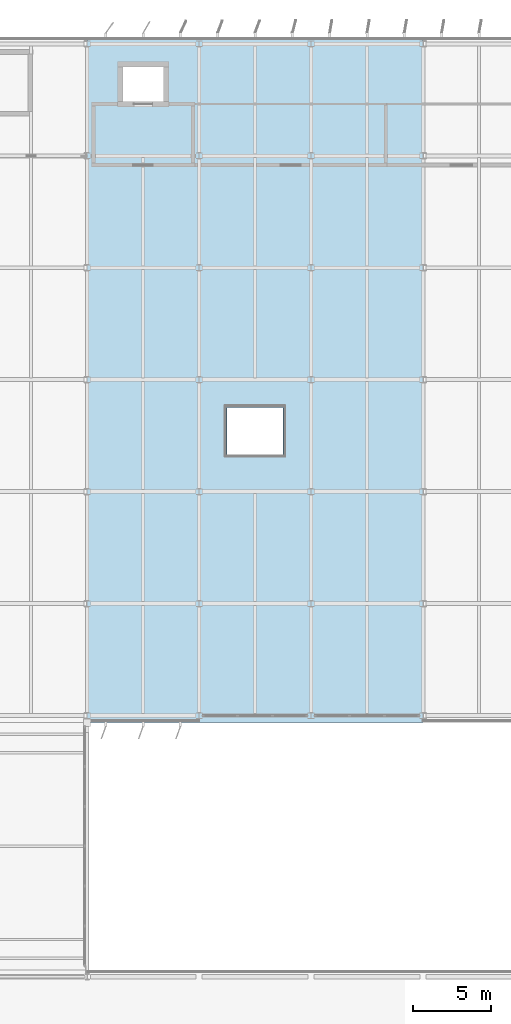
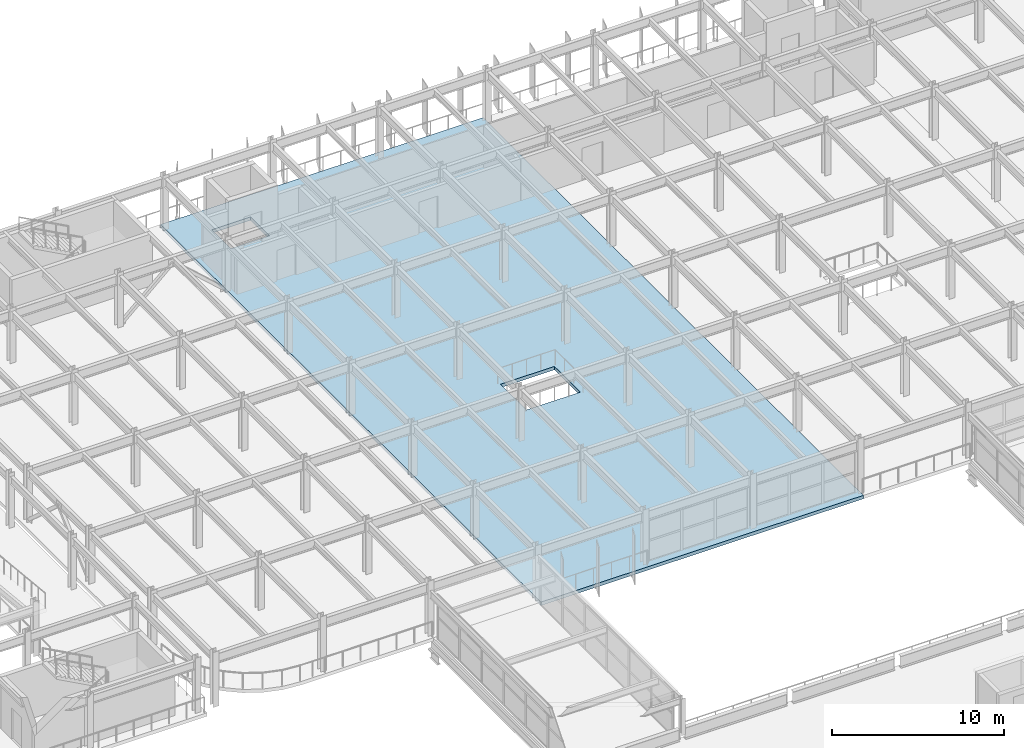
# One storey, part 52 of 93: 1 slab.
"""IFC4 building model written with IfcOpenShell, lengths in metres."""

from ifc_helpers import new_model, si_unit, direction, frame, origin, place, context, subcontext, project, spatial, polyline, outline, extrude, material, layer, layer_set, type_object, element, save


model = new_model("IFC4")

# Units and contexts
model_context = context("Model", 3, precision=1e-05, world=origin(), true_north=direction((0.0, 1.0)))
body_context = subcontext(model_context, "Body", "Model", "MODEL_VIEW")
ifc_project = project(units=[si_unit("LENGTHUNIT", "METRE"), si_unit("AREAUNIT", "SQUARE_METRE"), si_unit("VOLUMEUNIT", "CUBIC_METRE"), si_unit("PLANEANGLEUNIT", "RADIAN"), si_unit("MASSUNIT", "GRAM", prefix="KILO")], contexts=[model_context])

# Site, building, storey
site_placement = place(None, origin())
site = spatial("IfcSite", under=ifc_project, at=site_placement, CompositionType="ELEMENT")
building_placement = place(site_placement, origin())
building = spatial("IfcBuilding", under=site, at=building_placement, Name="Vaelcorin Mobility Hub", CompositionType="ELEMENT")
storey_placement = place(building_placement, frame((0.0, 0.0, 5.39990234375)))
storey = spatial("IfcBuildingStorey", under=building, at=storey_placement, Name="L01", CompositionType="ELEMENT", Elevation=5.39990234375)

# Slab
ifc_material = material(Name="Concrete f'c 35 MPa", Category="concrete")
ifc_layer = layer(ifc_material, 0.239990234375)
ifc_layer_set = layer_set([ifc_layer], Name="Concrete f'c 35 MPa")
slab_type = type_object("IfcSlabType", Name="SLAB-PK2", PredefinedType="FLOOR", material=ifc_layer_set)
slab_placement = place(storey_placement, frame((0.0, 0.0, -0.239990234375)))
element("IfcSlab", 1, at=slab_placement, inside=storey, type_object=slab_type, Name="L01 EV Mobility Deck SL-V4-L01-Q2", PredefinedType="FLOOR", context=body_context, shape_type="SweptSolid", body=[
    extrude(outline(polyline([(57.60009765625, 120.449951171875), (79.199951171875, 120.449951171875), (79.199951171875, 76.35009765625), (57.60009765625, 76.35009765625), (57.60009765625, 120.449951171875)]), holes=[polyline([(70.199951171875, 96.60009765625), (66.60009765625, 96.60009765625), (66.60009765625, 93.60009765625), (70.199951171875, 93.60009765625), (70.199951171875, 96.60009765625)]), polyline([(62.5, 118.5), (59.89990234375, 118.5), (59.89990234375, 116.300048828125), (62.5, 116.300048828125), (62.5, 118.5)])]), origin(), (0.0, 0.0, 1.0), 0.239990234375),
])

save(model, "model.ifc")
